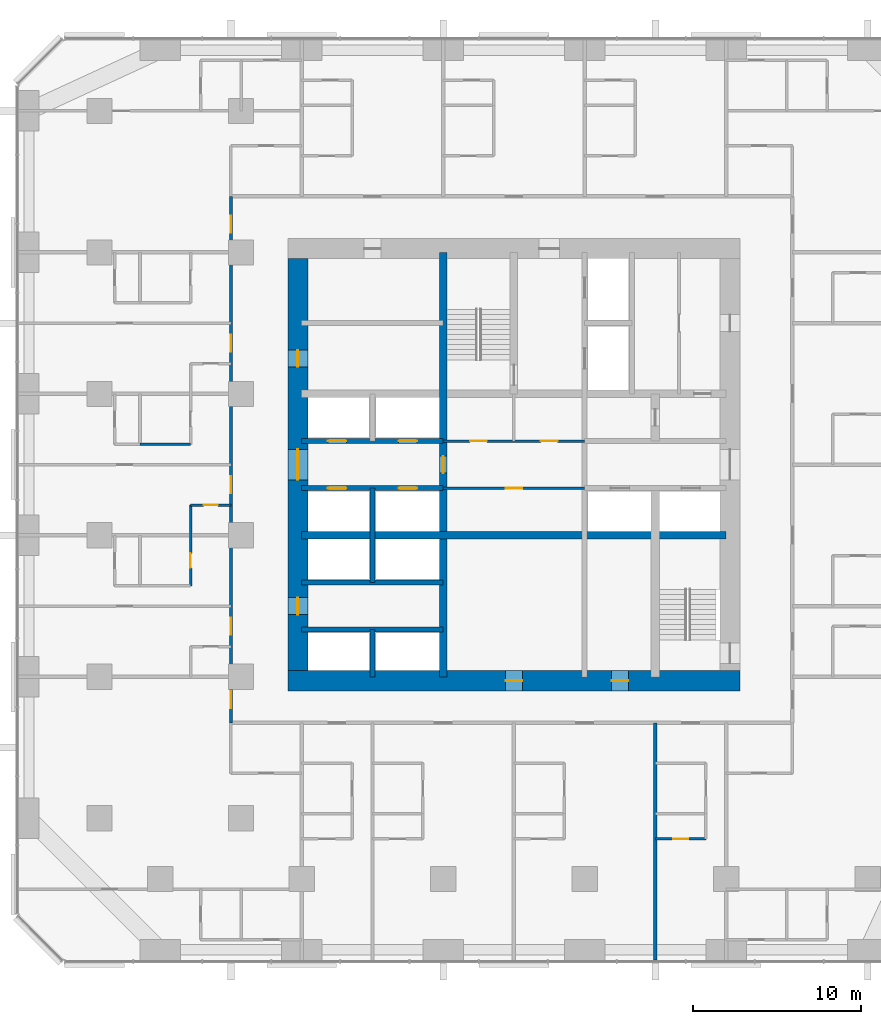
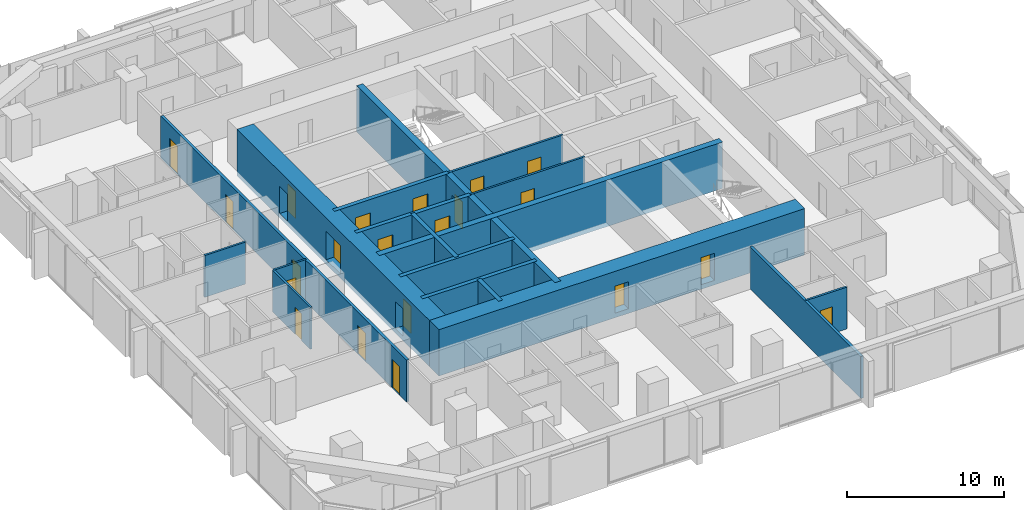
# One storey, part 9 of 14: 21 doors, 18 walls, 21 openings.
"""IFC4 building model written with IfcOpenShell, lengths in metres."""

from ifc_helpers import new_model, si_unit, direction, frame, frame_2d, origin, place, context, subcontext, project, spatial, rectangle, extrude, material, layer, layer_set, type_object, element, fill, save


model = new_model("IFC4")

# Units and contexts
model_context = context("Model", 3, precision=1e-05, world=origin(), true_north=direction((0.0, 1.0)))
body_context = subcontext(model_context, "Body", "Model", "MODEL_VIEW")
ifc_project = project(units=[si_unit("LENGTHUNIT", "METRE"), si_unit("AREAUNIT", "SQUARE_METRE"), si_unit("VOLUMEUNIT", "CUBIC_METRE"), si_unit("PLANEANGLEUNIT", "RADIAN"), si_unit("MASSUNIT", "GRAM", prefix="KILO")], contexts=[model_context])

# Site, building, storey
site_placement = place(None, origin())
site = spatial("IfcSite", under=ifc_project, at=site_placement, CompositionType="ELEMENT")
building_placement = place(site_placement, origin())
building = spatial("IfcBuilding", under=site, at=building_placement, Name="Dunama Terrace Hotel", CompositionType="ELEMENT")
storey_placement = place(building_placement, frame((0.0, 0.0, 100.800048828125)))
storey = spatial("IfcBuildingStorey", under=building, at=storey_placement, Name="L25", CompositionType="ELEMENT", Elevation=100.800048828125)

# Wall, opening, door
ifc_material_1 = material(Name="Gypsum board partition", Category="masonry")
ifc_layer_1 = layer(ifc_material_1, 0.14990234375)
ifc_layer_set_1 = layer_set([ifc_layer_1], Name="Bathroom partition 150")
wall_type_1 = type_object("IfcWallType", Name="Bathroom partition 150", PredefinedType="PARTITIONING", material=ifc_layer_set_1)
wall_1_placement = place(storey_placement, frame((10.199951171875, 22.199951171875, 0.0), z_axis=(0.0, 0.0, 1.0), x_axis=(0.0, 1.0, 0.0)))
wall_1 = element("IfcWall", 1, at=wall_1_placement, inside=storey, type_object=wall_type_1, Name="Bathroom partition 150 L25", PredefinedType="PARTITIONING", context=body_context, shape_type="SweptSolid", body=[
    extrude(rectangle(XDim=4.800048828125, YDim=0.14990234375, at=frame_2d((2.39990234375, 0.0))), origin(), (0.0, 0.0, 1.0), 3.25),
])
opening_1_placement = place(wall_1_placement, frame((1.074951171875, 0.0, 0.0)))
opening_1 = element("IfcOpeningElement", 2, at=opening_1_placement, cuts=wall_1, Name="Opening L25-27-047", PredefinedType="OPENING", context=body_context, shape_type="SweptSolid", body=[
    extrude(rectangle(XDim=0.85009765625, YDim=2.10009765625, at=frame_2d((0.425048828125, 1.050048828125))), frame((0.0, 0.0849609375, 0.0), z_axis=(0.0, -1.0, 0.0), x_axis=(1.0, 0.0, 0.0)), (0.0, 0.0, 1.0), 0.169921875),
])
ifc_material_2 = material(Name="Timber door with steel frame", Category="steel")
door_type_1 = type_object("IfcDoorType", Name="Bathroom door 850", OperationType="SINGLE_SWING_LEFT", PredefinedType="DOOR", material=ifc_material_2)
door_1_placement = place(opening_1_placement, origin())
door_1 = element("IfcDoor", 3, at=door_1_placement, inside=storey, type_object=door_type_1, Name="Door to en-suite bathroom L25-27-047, type D2", OperationType="SINGLE_SWING_RIGHT", OverallHeight=2.10009765625, OverallWidth=0.85009765625, PredefinedType="DOOR", context=body_context, shape_type="SweptSolid", body=[
    extrude(rectangle(XDim=0.85009765625, YDim=2.10009765625, at=frame_2d((0.425048828125, 1.050048828125))), frame((0.0, 0.02490234375, 0.0), z_axis=(0.0, -1.0, 0.0), x_axis=(1.0, 0.0, 0.0)), (0.0, 0.0, 1.0), 0.050048828125),
])
fill(opening_1, door_1)

wall_2_placement = place(storey_placement, frame((10.199951171875, 27.0, 0.0), z_axis=(0.0, 0.0, 1.0), x_axis=(1.0, 0.0, 0.0)))
wall_2 = element("IfcWall", 4, at=wall_2_placement, inside=storey, type_object=wall_type_1, Name="Bathroom partition 150 L25", PredefinedType="PARTITIONING", context=body_context, shape_type="SweptSolid", body=[
    extrude(rectangle(XDim=2.400146484375, YDim=0.14990234375, at=frame_2d((1.2001953125, 0.0))), origin(), (0.0, 0.0, 1.0), 3.25),
])
opening_2_placement = place(wall_2_placement, frame((0.77490234375, 0.0, 0.0)))
opening_2 = element("IfcOpeningElement", 5, at=opening_2_placement, cuts=wall_2, Name="Opening L25-27-050", PredefinedType="OPENING", context=body_context, shape_type="SweptSolid", body=[
    extrude(rectangle(XDim=0.85009765625, YDim=2.10009765625, at=frame_2d((0.425048828125, 1.050048828125))), frame((0.0, 0.0849609375, 0.0), z_axis=(0.0, -1.0, 0.0), x_axis=(1.0, 0.0, 0.0)), (0.0, 0.0, 1.0), 0.169921875),
])
door_2_placement = place(opening_2_placement, frame((0.85009765625, 0.0, 0.0), z_axis=(0.0, 0.0, 1.0), x_axis=(-1.0, 0.0, 0.0)))
door_2 = element("IfcDoor", 6, at=door_2_placement, inside=storey, type_object=door_type_1, Name="Door to powder room L25-27-050, type D2", OperationType="SINGLE_SWING_LEFT", OverallHeight=2.10009765625, OverallWidth=0.85009765625, PredefinedType="DOOR", context=body_context, shape_type="SweptSolid", body=[
    extrude(rectangle(XDim=0.85009765625, YDim=2.10009765625, at=frame_2d((0.425048828125, 1.050048828125))), frame((0.0, 0.025146484375, 0.0), z_axis=(0.0, -1.0, 0.0), x_axis=(1.0, 0.0, 0.0)), (0.0, 0.0, 1.0), 0.050048828125),
])
fill(opening_2, door_2)

# Walls
wall_3_placement = place(storey_placement, frame((7.199951171875, 30.60009765625, 0.0), z_axis=(0.0, 0.0, 1.0), x_axis=(1.0, 0.0, 0.0)))
element("IfcWall", 7, at=wall_3_placement, inside=storey, type_object=wall_type_1, Name="Bathroom partition 150 L25", PredefinedType="PARTITIONING", context=body_context, shape_type="SweptSolid", body=[
    extrude(rectangle(XDim=3.0, YDim=0.14990234375, at=frame_2d((1.5, 0.0))), origin(), (0.0, 0.0, 1.0), 3.25),
])
ifc_material_3 = material(Name="Concrete C50/60", Category="concrete")
ifc_layer_2 = layer(ifc_material_3, 0.300048828125)
ifc_layer_set_2 = layer_set([ifc_layer_2], Name="Core inner wall 300")
wall_type_2 = type_object("IfcWallType", Name="Core inner wall 300", PredefinedType="SHEAR", material=ifc_layer_set_2)
wall_4_placement = place(storey_placement, frame((21.0, 16.800048828125, -0.35009765625), z_axis=(0.0, 0.0, 1.0), x_axis=(0.0, 1.0, 0.0)))
element("IfcWall", 8, at=wall_4_placement, inside=storey, type_object=wall_type_2, Name="Core inner wall 300 L25", PredefinedType="SHEAR", context=body_context, shape_type="SweptSolid", body=[
    extrude(rectangle(XDim=2.800048828125, YDim=0.300048828125, at=frame_2d((1.39990234375, 0.0))), origin(), (0.0, 0.0, 1.0), 3.60009765625),
])
wall_5_placement = place(storey_placement, frame((21.0, 22.39990234375, -0.35009765625), z_axis=(0.0, 0.0, 1.0), x_axis=(0.0, 1.0, 0.0)))
element("IfcWall", 9, at=wall_5_placement, inside=storey, type_object=wall_type_2, Name="Core inner wall 300 L25", PredefinedType="SHEAR", context=body_context, shape_type="SweptSolid", body=[
    extrude(rectangle(XDim=5.60009765625, YDim=0.300048828125, at=frame_2d((2.800048828125, 0.0))), origin(), (0.0, 0.0, 1.0), 3.60009765625),
])
for number, where, z_axis, x_axis, name in (
    (10, (16.800048828125, 19.60009765625, -0.35009765625), (0.0, 0.0, 1.0), (1.0, 0.0, 0.0), "Core inner wall 300 L25"),
    (11, (16.800048828125, 22.39990234375, -0.35009765625), (0.0, 0.0, 1.0), (1.0, 0.0, 0.0), "Core inner wall 300 L25"),
):
    element("IfcWall", number, at=place(storey_placement, frame(where, z_axis=z_axis, x_axis=x_axis)), inside=storey, type_object=wall_type_2, Name=name, PredefinedType="SHEAR", context=body_context, shape_type="SweptSolid", body=[
        extrude(rectangle(XDim=8.39990234375, YDim=0.300048828125, at=frame_2d((4.199951171875, 0.0))), origin(), (0.0, 0.0, 1.0), 3.60009765625),
    ])

# Wall, openings, doors
wall_6_placement = place(storey_placement, frame((16.800048828125, 28.0, -0.35009765625), z_axis=(0.0, 0.0, 1.0), x_axis=(1.0, 0.0, 0.0)))
wall_6 = element("IfcWall", 12, at=wall_6_placement, inside=storey, type_object=wall_type_2, Name="Core inner wall 300 L25", PredefinedType="SHEAR", context=body_context, shape_type="SweptSolid", body=[
    extrude(rectangle(XDim=8.39990234375, YDim=0.300048828125, at=frame_2d((4.199951171875, 0.0))), origin(), (0.0, 0.0, 1.0), 3.60009765625),
])
opening_3_placement = place(wall_6_placement, frame((1.550048828125, 0.0, 0.35009765625)))
opening_3 = element("IfcOpeningElement", 13, at=opening_3_placement, cuts=wall_6, Name="Opening L25-27-005", PredefinedType="OPENING", context=body_context, shape_type="SweptSolid", body=[
    extrude(rectangle(XDim=1.10009765625, YDim=2.199951171875, at=frame_2d((0.550048828125, 1.10009765625))), frame((0.0, 0.159912109375, 0.0), z_axis=(0.0, -1.0, 0.0), x_axis=(1.0, 0.0, 0.0)), (0.0, 0.0, 1.0), 0.320068359375),
])
opening_4_placement = place(wall_6_placement, frame((5.75, 0.0, 0.35009765625)))
opening_4 = element("IfcOpeningElement", 14, at=opening_4_placement, cuts=wall_6, Name="Opening L25-27-006", PredefinedType="OPENING", context=body_context, shape_type="SweptSolid", body=[
    extrude(rectangle(XDim=1.10009765625, YDim=2.199951171875, at=frame_2d((0.550048828125, 1.10009765625))), frame((0.0, 0.159912109375, 0.0), z_axis=(0.0, -1.0, 0.0), x_axis=(1.0, 0.0, 0.0)), (0.0, 0.0, 1.0), 0.320068359375),
])
ifc_material_4 = material(Name="Stainless steel lift door", Category="steel")
door_type_2 = type_object("IfcDoorType", Name="Lift landing door 1100", OperationType="DOUBLE_DOOR_SLIDING", PredefinedType="DOOR", material=ifc_material_4)
door_3_placement = place(opening_3_placement, origin())
door_3 = element("IfcDoor", 15, at=door_3_placement, inside=storey, type_object=door_type_2, Name="Landing door PC1 L25-27-005, type LD1", OperationType="DOUBLE_DOOR_SLIDING", OverallHeight=2.199951171875, OverallWidth=1.10009765625, PredefinedType="DOOR", context=body_context, shape_type="SweptSolid", body=[
    extrude(rectangle(XDim=1.10009765625, YDim=2.199951171875, at=frame_2d((0.550048828125, 1.10009765625))), frame((0.0, 0.02490234375, 0.0), z_axis=(0.0, -1.0, 0.0), x_axis=(1.0, 0.0, 0.0)), (0.0, 0.0, 1.0), 0.050048828125),
])
fill(opening_3, door_3)
door_4_placement = place(opening_4_placement, origin())
door_4 = element("IfcDoor", 16, at=door_4_placement, inside=storey, type_object=door_type_2, Name="Landing door PC2 L25-27-006, type LD1", OperationType="DOUBLE_DOOR_SLIDING", OverallHeight=2.199951171875, OverallWidth=1.10009765625, PredefinedType="DOOR", context=body_context, shape_type="SweptSolid", body=[
    extrude(rectangle(XDim=1.10009765625, YDim=2.199951171875, at=frame_2d((0.550048828125, 1.10009765625))), frame((0.0, 0.02490234375, 0.0), z_axis=(0.0, -1.0, 0.0), x_axis=(1.0, 0.0, 0.0)), (0.0, 0.0, 1.0), 0.050048828125),
])
fill(opening_4, door_4)

wall_7_placement = place(storey_placement, frame((16.800048828125, 30.800048828125, -0.35009765625), z_axis=(0.0, 0.0, 1.0), x_axis=(1.0, 0.0, 0.0)))
wall_7 = element("IfcWall", 17, at=wall_7_placement, inside=storey, type_object=wall_type_2, Name="Core inner wall 300 L25", PredefinedType="SHEAR", context=body_context, shape_type="SweptSolid", body=[
    extrude(rectangle(XDim=8.39990234375, YDim=0.300048828125, at=frame_2d((4.199951171875, 0.0))), origin(), (0.0, 0.0, 1.0), 3.60009765625),
])
opening_5_placement = place(wall_7_placement, frame((1.550048828125, 0.0, 0.35009765625)))
opening_5 = element("IfcOpeningElement", 18, at=opening_5_placement, cuts=wall_7, Name="Opening L25-27-007", PredefinedType="OPENING", context=body_context, shape_type="SweptSolid", body=[
    extrude(rectangle(XDim=1.10009765625, YDim=2.199951171875, at=frame_2d((0.550048828125, 1.10009765625))), frame((0.0, 0.159912109375, 0.0), z_axis=(0.0, -1.0, 0.0), x_axis=(1.0, 0.0, 0.0)), (0.0, 0.0, 1.0), 0.320068359375),
])
opening_6_placement = place(wall_7_placement, frame((5.75, 0.0, 0.35009765625)))
opening_6 = element("IfcOpeningElement", 19, at=opening_6_placement, cuts=wall_7, Name="Opening L25-27-008", PredefinedType="OPENING", context=body_context, shape_type="SweptSolid", body=[
    extrude(rectangle(XDim=1.10009765625, YDim=2.199951171875, at=frame_2d((0.550048828125, 1.10009765625))), frame((0.0, 0.159912109375, 0.0), z_axis=(0.0, -1.0, 0.0), x_axis=(1.0, 0.0, 0.0)), (0.0, 0.0, 1.0), 0.320068359375),
])
door_5_placement = place(opening_5_placement, origin())
door_5 = element("IfcDoor", 20, at=door_5_placement, inside=storey, type_object=door_type_2, Name="Landing door PC3 L25-27-007, type LD1", OperationType="DOUBLE_DOOR_SLIDING", OverallHeight=2.199951171875, OverallWidth=1.10009765625, PredefinedType="DOOR", context=body_context, shape_type="SweptSolid", body=[
    extrude(rectangle(XDim=1.10009765625, YDim=2.199951171875, at=frame_2d((0.550048828125, 1.10009765625))), frame((0.0, 0.02490234375, 0.0), z_axis=(0.0, -1.0, 0.0), x_axis=(1.0, 0.0, 0.0)), (0.0, 0.0, 1.0), 0.050048828125),
])
fill(opening_5, door_5)
door_6_placement = place(opening_6_placement, origin())
door_6 = element("IfcDoor", 21, at=door_6_placement, inside=storey, type_object=door_type_2, Name="Landing door PC4 L25-27-008, type LD1", OperationType="DOUBLE_DOOR_SLIDING", OverallHeight=2.199951171875, OverallWidth=1.10009765625, PredefinedType="DOOR", context=body_context, shape_type="SweptSolid", body=[
    extrude(rectangle(XDim=1.10009765625, YDim=2.199951171875, at=frame_2d((0.550048828125, 1.10009765625))), frame((0.0, 0.02490234375, 0.0), z_axis=(0.0, -1.0, 0.0), x_axis=(1.0, 0.0, 0.0)), (0.0, 0.0, 1.0), 0.050048828125),
])
fill(opening_6, door_6)

# Wall, opening, door
ifc_material_5 = material(Name="Concrete C50/60", Category="concrete")
ifc_layer_3 = layer(ifc_material_5, 0.449951171875)
ifc_layer_set_3 = layer_set([ifc_layer_3], Name="Core inner wall 450")
wall_type_3 = type_object("IfcWallType", Name="Core inner wall 450", PredefinedType="SHEAR", material=ifc_layer_set_3)
wall_8_placement = place(storey_placement, frame((25.199951171875, 16.800048828125, -0.35009765625), z_axis=(0.0, 0.0, 1.0), x_axis=(0.0, 1.0, 0.0)))
wall_8 = element("IfcWall", 22, at=wall_8_placement, inside=storey, type_object=wall_type_3, Name="Core inner wall 450 L25", PredefinedType="SHEAR", context=body_context, shape_type="SweptSolid", body=[
    extrude(rectangle(XDim=25.199951171875, YDim=0.449951171875, at=frame_2d((12.60009765625, 0.0))), origin(), (0.0, 0.0, 1.0), 3.60009765625),
])
opening_7_placement = place(wall_8_placement, frame((12.10009765625, 0.0, 0.35009765625)))
opening_7 = element("IfcOpeningElement", 23, at=opening_7_placement, cuts=wall_8, Name="Opening L25-27-083", PredefinedType="OPENING", context=body_context, shape_type="SweptSolid", body=[
    extrude(rectangle(XDim=1.0, YDim=2.10009765625, at=frame_2d((0.5, 1.050048828125))), frame((0.0, 0.23486328125, 0.0), z_axis=(0.0, -1.0, 0.0), x_axis=(1.0, 0.0, 0.0)), (0.0, 0.0, 1.0), 0.469970703125),
])
ifc_material_6 = material(Name="Timber door with steel frame", Category="steel")
door_type_3 = type_object("IfcDoorType", Name="Service door 1000", OperationType="SINGLE_SWING_LEFT", PredefinedType="DOOR", material=ifc_material_6)
door_7_placement = place(opening_7_placement, origin())
door_7 = element("IfcDoor", 24, at=door_7_placement, inside=storey, type_object=door_type_3, Name="Door to guest services passage L25-27-083, type D7", OperationType="SINGLE_SWING_LEFT", OverallHeight=2.10009765625, OverallWidth=1.0, PredefinedType="DOOR", context=body_context, shape_type="SweptSolid", body=[
    extrude(rectangle(XDim=1.0, YDim=2.10009765625, at=frame_2d((0.5, 1.050048828125))), frame((0.0, 0.02490234375, 0.0), z_axis=(0.0, -1.0, 0.0), x_axis=(1.0, 0.0, 0.0)), (0.0, 0.0, 1.0), 0.050048828125),
])
fill(opening_7, door_7)

# Wall
wall_9_placement = place(storey_placement, frame((16.800048828125, 25.199951171875, -0.35009765625), z_axis=(0.0, 0.0, 1.0), x_axis=(1.0, 0.0, 0.0)))
element("IfcWall", 25, at=wall_9_placement, inside=storey, type_object=wall_type_3, Name="Core inner wall 450 L25", PredefinedType="SHEAR", context=body_context, shape_type="SweptSolid", body=[
    extrude(rectangle(XDim=25.199951171875, YDim=0.449951171875, at=frame_2d((12.60009765625, 0.0))), origin(), (0.0, 0.0, 1.0), 3.60009765625),
])

# Wall, openings, doors
ifc_material_7 = material(Name="Concrete C60/75", Category="concrete")
ifc_layer_4 = layer(ifc_material_7, 1.199951171875)
ifc_layer_set_4 = layer_set([ifc_layer_4], Name="Core wall 1200")
wall_type_4 = type_object("IfcWallType", Name="Core wall 1200", PredefinedType="SHEAR", material=ifc_layer_set_4)
wall_10_placement = place(storey_placement, frame((15.97509765625, 16.574951171875, -0.35009765625), z_axis=(0.0, 0.0, 1.0), x_axis=(1.0, 0.0, 0.0)))
wall_10 = element("IfcWall", 26, at=wall_10_placement, inside=storey, type_object=wall_type_4, Name="Core wall south L25", PredefinedType="SHEAR", context=body_context, shape_type="SweptSolid", body=[
    extrude(rectangle(XDim=26.849853515625, YDim=1.199951171875, at=frame_2d((13.4248046875, 0.0))), origin(), (0.0, 0.0, 1.0), 3.60009765625),
])
opening_8_placement = place(wall_10_placement, frame((12.925048828125, 0.0, 0.35009765625)))
opening_8 = element("IfcOpeningElement", 27, at=opening_8_placement, cuts=wall_10, Name="Opening L25-27-093", PredefinedType="OPENING", context=body_context, shape_type="SweptSolid", body=[
    extrude(rectangle(XDim=1.0, YDim=2.10009765625, at=frame_2d((0.5, 1.050048828125))), frame((0.0, 0.60986328125, 0.0), z_axis=(0.0, -1.0, 0.0), x_axis=(1.0, 0.0, 0.0)), (0.0, 0.0, 1.0), 1.219970703125),
])
opening_9_placement = place(wall_10_placement, frame((19.22509765625, 0.0, 0.35009765625)))
opening_9 = element("IfcOpeningElement", 28, at=opening_9_placement, cuts=wall_10, Name="Opening L25-27-094", PredefinedType="OPENING", context=body_context, shape_type="SweptSolid", body=[
    extrude(rectangle(XDim=1.0, YDim=2.10009765625, at=frame_2d((0.5, 1.050048828125))), frame((0.0, 0.60986328125, 0.0), z_axis=(0.0, -1.0, 0.0), x_axis=(1.0, 0.0, 0.0)), (0.0, 0.0, 1.0), 1.219970703125),
])
door_8_placement = place(opening_8_placement, origin())
door_8 = element("IfcDoor", 29, at=door_8_placement, inside=storey, type_object=door_type_3, Name="Door to corridor air handling room L25-27-093, type D7", OperationType="SINGLE_SWING_LEFT", OverallHeight=2.10009765625, OverallWidth=1.0, PredefinedType="DOOR", context=body_context, shape_type="SweptSolid", body=[
    extrude(rectangle(XDim=1.0, YDim=2.10009765625, at=frame_2d((0.5, 1.050048828125))), frame((0.0, 0.02490234375, 0.0), z_axis=(0.0, -1.0, 0.0), x_axis=(1.0, 0.0, 0.0)), (0.0, 0.0, 1.0), 0.050048828125),
])
fill(opening_8, door_8)
door_9_placement = place(opening_9_placement, origin())
door_9 = element("IfcDoor", 30, at=door_9_placement, inside=storey, type_object=door_type_3, Name="Door to water riser room L25-27-094, type D7", OperationType="SINGLE_SWING_RIGHT", OverallHeight=2.10009765625, OverallWidth=1.0, PredefinedType="DOOR", context=body_context, shape_type="SweptSolid", body=[
    extrude(rectangle(XDim=1.0, YDim=2.10009765625, at=frame_2d((0.5, 1.050048828125))), frame((0.0, 0.02490234375, 0.0), z_axis=(0.0, -1.0, 0.0), x_axis=(1.0, 0.0, 0.0)), (0.0, 0.0, 1.0), 0.050048828125),
])
fill(opening_9, door_9)

wall_11_placement = place(storey_placement, frame((16.574951171875, 41.625, -0.35009765625), z_axis=(0.0, 0.0, 1.0), x_axis=(0.0, -1.0, 0.0)))
wall_11 = element("IfcWall", 31, at=wall_11_placement, inside=storey, type_object=wall_type_4, Name="Core wall west L25", PredefinedType="SHEAR", context=body_context, shape_type="SweptSolid", body=[
    extrude(rectangle(XDim=24.449951171875, YDim=1.199951171875, at=frame_2d((12.22509765625, 0.0))), origin(), (0.0, 0.0, 1.0), 3.60009765625),
])
opening_10_placement = place(wall_11_placement, frame((11.324951171875, 0.0, 0.35009765625)))
opening_10 = element("IfcOpeningElement", 32, at=opening_10_placement, cuts=wall_11, Name="Opening L25-27-079", PredefinedType="OPENING", context=body_context, shape_type="SweptSolid", body=[
    extrude(rectangle(XDim=1.800048828125, YDim=2.199951171875, at=frame_2d((0.89990234375, 1.10009765625))), frame((0.0, 0.60986328125, 0.0), z_axis=(0.0, -1.0, 0.0), x_axis=(1.0, 0.0, 0.0)), (0.0, 0.0, 1.0), 1.219970703125),
])
opening_11_placement = place(wall_11_placement, frame((20.125, 0.0, 0.35009765625)))
opening_11 = element("IfcOpeningElement", 33, at=opening_11_placement, cuts=wall_11, Name="Opening L25-27-080", PredefinedType="OPENING", context=body_context, shape_type="SweptSolid", body=[
    extrude(rectangle(XDim=1.0, YDim=2.10009765625, at=frame_2d((0.5, 1.050048828125))), frame((0.0, 0.60986328125, 0.0), z_axis=(0.0, -1.0, 0.0), x_axis=(1.0, 0.0, 0.0)), (0.0, 0.0, 1.0), 1.219970703125),
])
opening_12_placement = place(wall_11_placement, frame((5.425048828125, 0.0, 0.35009765625)))
opening_12 = element("IfcOpeningElement", 34, at=opening_12_placement, cuts=wall_11, Name="Opening L25-27-081", PredefinedType="OPENING", context=body_context, shape_type="SweptSolid", body=[
    extrude(rectangle(XDim=1.0, YDim=2.10009765625, at=frame_2d((0.5, 1.050048828125))), frame((0.0, 0.60986328125, 0.0), z_axis=(0.0, -1.0, 0.0), x_axis=(1.0, 0.0, 0.0)), (0.0, 0.0, 1.0), 1.219970703125),
])
ifc_material_8 = material(Name="Timber door with steel frame", Category="steel")
door_type_4 = type_object("IfcDoorType", Name="Lift lobby double door 1800", OperationType="DOUBLE_DOOR_DOUBLE_SWING", PredefinedType="DOOR", material=ifc_material_8)
door_10_placement = place(opening_10_placement, origin())
door_10 = element("IfcDoor", 35, at=door_10_placement, inside=storey, type_object=door_type_4, Name="Door to lift lobby L25-27-079, type D3", OperationType="DOUBLE_DOOR_DOUBLE_SWING", OverallHeight=2.199951171875, OverallWidth=1.800048828125, PredefinedType="DOOR", context=body_context, shape_type="SweptSolid", body=[
    extrude(rectangle(XDim=1.800048828125, YDim=2.199951171875, at=frame_2d((0.89990234375, 1.10009765625))), frame((0.0, 0.02490234375, 0.0), z_axis=(0.0, -1.0, 0.0), x_axis=(1.0, 0.0, 0.0)), (0.0, 0.0, 1.0), 0.050048828125),
])
fill(opening_10, door_10)
door_11_placement = place(opening_11_placement, origin())
door_11 = element("IfcDoor", 36, at=door_11_placement, inside=storey, type_object=door_type_3, Name="Door to service lobby L25-27-080, type D7", OperationType="SINGLE_SWING_LEFT", OverallHeight=2.10009765625, OverallWidth=1.0, PredefinedType="DOOR", context=body_context, shape_type="SweptSolid", body=[
    extrude(rectangle(XDim=1.0, YDim=2.10009765625, at=frame_2d((0.5, 1.050048828125))), frame((0.0, 0.02490234375, 0.0), z_axis=(0.0, -1.0, 0.0), x_axis=(1.0, 0.0, 0.0)), (0.0, 0.0, 1.0), 0.050048828125),
])
fill(opening_11, door_11)
door_12_placement = place(opening_12_placement, origin())
door_12 = element("IfcDoor", 37, at=door_12_placement, inside=storey, type_object=door_type_3, Name="Door to electrical room L25-27-081, type D7", OperationType="SINGLE_SWING_RIGHT", OverallHeight=2.10009765625, OverallWidth=1.0, PredefinedType="DOOR", context=body_context, shape_type="SweptSolid", body=[
    extrude(rectangle(XDim=1.0, YDim=2.10009765625, at=frame_2d((0.5, 1.050048828125))), frame((0.0, 0.02490234375, 0.0), z_axis=(0.0, -1.0, 0.0), x_axis=(1.0, 0.0, 0.0)), (0.0, 0.0, 1.0), 0.050048828125),
])
fill(opening_12, door_12)

ifc_material_9 = material(Name="Concrete blockwork", Category="masonry")
ifc_layer_5 = layer(ifc_material_9, 0.199951171875)
ifc_layer_set_5 = layer_set([ifc_layer_5], Name="Corridor partition 200")
wall_type_5 = type_object("IfcWallType", Name="Corridor partition 200", PredefinedType="PARTITIONING", material=ifc_layer_set_5)
wall_12_placement = place(storey_placement, frame((12.60009765625, 14.074951171875, 0.0), z_axis=(0.0, 0.0, 1.0), x_axis=(0.0, 1.0, 0.0)))
wall_12 = element("IfcWall", 38, at=wall_12_placement, inside=storey, type_object=wall_type_5, Name="Corridor partition 200 L25", PredefinedType="PARTITIONING", context=body_context, shape_type="SweptSolid", body=[
    extrude(rectangle(XDim=31.25, YDim=0.199951171875, at=frame_2d((15.625, 0.0))), origin(), (0.0, 0.0, 1.0), 3.25),
])
opening_13_placement = place(wall_12_placement, frame((5.22509765625, 0.0, 0.0)))
opening_13 = element("IfcOpeningElement", 39, at=opening_13_placement, cuts=wall_12, Name="Opening L25-27-044", PredefinedType="OPENING", context=body_context, shape_type="SweptSolid", body=[
    extrude(rectangle(XDim=1.0, YDim=2.199951171875, at=frame_2d((0.5, 1.10009765625))), frame((0.0, 0.10986328125, 0.0), z_axis=(0.0, -1.0, 0.0), x_axis=(1.0, 0.0, 0.0)), (0.0, 0.0, 1.0), 0.219970703125),
])
opening_14_placement = place(wall_12_placement, frame((13.625, 0.0, 0.0)))
opening_14 = element("IfcOpeningElement", 40, at=opening_14_placement, cuts=wall_12, Name="Opening L25-27-049", PredefinedType="OPENING", context=body_context, shape_type="SweptSolid", body=[
    extrude(rectangle(XDim=1.0, YDim=2.199951171875, at=frame_2d((0.5, 1.10009765625))), frame((0.0, 0.10986328125, 0.0), z_axis=(0.0, -1.0, 0.0), x_axis=(1.0, 0.0, 0.0)), (0.0, 0.0, 1.0), 0.219970703125),
])
opening_15_placement = place(wall_12_placement, frame((22.02490234375, 0.0, 0.0)))
opening_15 = element("IfcOpeningElement", 41, at=opening_15_placement, cuts=wall_12, Name="Opening L25-27-054", PredefinedType="OPENING", context=body_context, shape_type="SweptSolid", body=[
    extrude(rectangle(XDim=1.0, YDim=2.199951171875, at=frame_2d((0.5, 1.10009765625))), frame((0.0, 0.10986328125, 0.0), z_axis=(0.0, -1.0, 0.0), x_axis=(1.0, 0.0, 0.0)), (0.0, 0.0, 1.0), 0.219970703125),
])
opening_16_placement = place(wall_12_placement, frame((0.863037109375, 0.0, 0.0)))
opening_16 = element("IfcOpeningElement", 42, at=opening_16_placement, cuts=wall_12, Name="Opening L25-27-059", PredefinedType="OPENING", context=body_context, shape_type="SweptSolid", body=[
    extrude(rectangle(XDim=1.0, YDim=2.199951171875, at=frame_2d((0.5, 1.10009765625))), frame((0.0, 0.10986328125, 0.0), z_axis=(0.0, -1.0, 0.0), x_axis=(1.0, 0.0, 0.0)), (0.0, 0.0, 1.0), 0.219970703125),
])
opening_17_placement = place(wall_12_placement, frame((29.087890625, 0.0, 0.0)))
opening_17 = element("IfcOpeningElement", 43, at=opening_17_placement, cuts=wall_12, Name="Opening L25-27-074", PredefinedType="OPENING", context=body_context, shape_type="SweptSolid", body=[
    extrude(rectangle(XDim=1.0, YDim=2.199951171875, at=frame_2d((0.5, 1.10009765625))), frame((0.0, 0.10986328125, 0.0), z_axis=(0.0, -1.0, 0.0), x_axis=(1.0, 0.0, 0.0)), (0.0, 0.0, 1.0), 0.219970703125),
])
ifc_material_10 = material(Name="Timber door with steel frame", Category="steel")
door_type_5 = type_object("IfcDoorType", Name="Guest room door 1000", OperationType="SINGLE_SWING_LEFT", PredefinedType="DOOR", material=ifc_material_10)
door_13_placement = place(opening_13_placement, origin())
door_13 = element("IfcDoor", 44, at=door_13_placement, inside=storey, type_object=door_type_5, Name="Door to premier suite living room L25-27-044, type D1", OperationType="SINGLE_SWING_LEFT", OverallHeight=2.199951171875, OverallWidth=1.0, PredefinedType="DOOR", context=body_context, shape_type="SweptSolid", body=[
    extrude(rectangle(XDim=1.0, YDim=2.199951171875, at=frame_2d((0.5, 1.10009765625))), frame((0.0, 0.02490234375, 0.0), z_axis=(0.0, -1.0, 0.0), x_axis=(1.0, 0.0, 0.0)), (0.0, 0.0, 1.0), 0.050048828125),
])
fill(opening_13, door_13)
door_14_placement = place(opening_14_placement, origin())
door_14 = element("IfcDoor", 45, at=door_14_placement, inside=storey, type_object=door_type_5, Name="Door to premier suite living room L25-27-049, type D1", OperationType="SINGLE_SWING_LEFT", OverallHeight=2.199951171875, OverallWidth=1.0, PredefinedType="DOOR", context=body_context, shape_type="SweptSolid", body=[
    extrude(rectangle(XDim=1.0, YDim=2.199951171875, at=frame_2d((0.5, 1.10009765625))), frame((0.0, 0.02490234375, 0.0), z_axis=(0.0, -1.0, 0.0), x_axis=(1.0, 0.0, 0.0)), (0.0, 0.0, 1.0), 0.050048828125),
])
fill(opening_14, door_14)
door_15_placement = place(opening_15_placement, origin())
door_15 = element("IfcDoor", 46, at=door_15_placement, inside=storey, type_object=door_type_5, Name="Door to premier suite living room L25-27-054, type D1", OperationType="SINGLE_SWING_LEFT", OverallHeight=2.199951171875, OverallWidth=1.0, PredefinedType="DOOR", context=body_context, shape_type="SweptSolid", body=[
    extrude(rectangle(XDim=1.0, YDim=2.199951171875, at=frame_2d((0.5, 1.10009765625))), frame((0.0, 0.02490234375, 0.0), z_axis=(0.0, -1.0, 0.0), x_axis=(1.0, 0.0, 0.0)), (0.0, 0.0, 1.0), 0.050048828125),
])
fill(opening_15, door_15)
door_16_placement = place(opening_16_placement, origin())
door_16 = element("IfcDoor", 47, at=door_16_placement, inside=storey, type_object=door_type_5, Name="Door to corner suite living room L25-27-059, type D1", OperationType="SINGLE_SWING_RIGHT", OverallHeight=2.199951171875, OverallWidth=1.0, PredefinedType="DOOR", context=body_context, shape_type="SweptSolid", body=[
    extrude(rectangle(XDim=1.0, YDim=2.199951171875, at=frame_2d((0.5, 1.10009765625))), frame((0.0, 0.02490234375, 0.0), z_axis=(0.0, -1.0, 0.0), x_axis=(1.0, 0.0, 0.0)), (0.0, 0.0, 1.0), 0.050048828125),
])
fill(opening_16, door_16)
door_17_placement = place(opening_17_placement, origin())
door_17 = element("IfcDoor", 48, at=door_17_placement, inside=storey, type_object=door_type_5, Name="Door to corner suite living room L25-27-074, type D1", OperationType="SINGLE_SWING_LEFT", OverallHeight=2.199951171875, OverallWidth=1.0, PredefinedType="DOOR", context=body_context, shape_type="SweptSolid", body=[
    extrude(rectangle(XDim=1.0, YDim=2.199951171875, at=frame_2d((0.5, 1.10009765625))), frame((0.0, 0.02490234375, 0.0), z_axis=(0.0, -1.0, 0.0), x_axis=(1.0, 0.0, 0.0)), (0.0, 0.0, 1.0), 0.050048828125),
])
fill(opening_17, door_17)

# Wall
ifc_material_11 = material(Name="Concrete blockwork", Category="masonry")
ifc_layer_6 = layer(ifc_material_11, 0.199951171875)
ifc_layer_set_6 = layer_set([ifc_layer_6], Name="Party wall 200")
wall_type_6 = type_object("IfcWallType", Name="Party wall 200", PredefinedType="PARTITIONING", material=ifc_layer_set_6)
wall_13_placement = place(storey_placement, frame((37.800048828125, -0.01806640625, 0.0), z_axis=(0.0, 0.0, 1.0), x_axis=(0.0, 1.0, 0.0)))
element("IfcWall", 49, at=wall_13_placement, inside=storey, type_object=wall_type_6, Name="Party wall 200 L25", PredefinedType="PARTITIONING", context=body_context, shape_type="SweptSolid", body=[
    extrude(rectangle(XDim=14.093017578125, YDim=0.199951171875, at=frame_2d((7.04638671875, 0.0))), origin(), (0.0, 0.0, 1.0), 3.25),
])

# Wall, opening, door
ifc_material_12 = material(Name="Gypsum board partition", Category="masonry")
ifc_layer_7 = layer(ifc_material_12, 0.14990234375)
ifc_layer_set_7 = layer_set([ifc_layer_7], Name="Room partition 150")
wall_type_7 = type_object("IfcWallType", Name="Room partition 150", PredefinedType="PARTITIONING", material=ifc_layer_set_7)
wall_14_placement = place(storey_placement, frame((37.800048828125, 7.175048828125, 0.0), z_axis=(0.0, 0.0, 1.0), x_axis=(1.0, 0.0, 0.0)))
wall_14 = element("IfcWall", 50, at=wall_14_placement, inside=storey, type_object=wall_type_7, Name="Room partition 150 L25", PredefinedType="PARTITIONING", context=body_context, shape_type="SweptSolid", body=[
    extrude(rectangle(XDim=3.0, YDim=0.14990234375, at=frame_2d((1.5, 0.0))), origin(), (0.0, 0.0, 1.0), 3.25),
])
opening_18_placement = place(wall_14_placement, frame((1.050048828125, 0.0, 0.0)))
opening_18 = element("IfcOpeningElement", 51, at=opening_18_placement, cuts=wall_14, Name="Opening L25-27-022", PredefinedType="OPENING", context=body_context, shape_type="SweptSolid", body=[
    extrude(rectangle(XDim=0.89990234375, YDim=2.10009765625, at=frame_2d((0.449951171875, 1.050048828125))), frame((0.0, 0.0849609375, 0.0), z_axis=(0.0, -1.0, 0.0), x_axis=(1.0, 0.0, 0.0)), (0.0, 0.0, 1.0), 0.169921875),
])
ifc_material_13 = material(Name="Timber door with steel frame", Category="steel")
door_type_6 = type_object("IfcDoorType", Name="Suite internal door 900", OperationType="SINGLE_SWING_LEFT", PredefinedType="DOOR", material=ifc_material_13)
door_18_placement = place(opening_18_placement, origin())
door_18 = element("IfcDoor", 52, at=door_18_placement, inside=storey, type_object=door_type_6, Name="Door to walk-in wardrobe L25-27-022, type D16", OperationType="SINGLE_SWING_LEFT", OverallHeight=2.10009765625, OverallWidth=0.89990234375, PredefinedType="DOOR", context=body_context, shape_type="SweptSolid", body=[
    extrude(rectangle(XDim=0.89990234375, YDim=2.10009765625, at=frame_2d((0.449951171875, 1.050048828125))), frame((0.0, 0.02490234375, 0.0), z_axis=(0.0, -1.0, 0.0), x_axis=(1.0, 0.0, 0.0)), (0.0, 0.0, 1.0), 0.050048828125),
])
fill(opening_18, door_18)

wall_15_placement = place(storey_placement, frame((25.199951171875, 28.0, 0.0), z_axis=(0.0, 0.0, 1.0), x_axis=(1.0, 0.0, 0.0)))
wall_15 = element("IfcWall", 53, at=wall_15_placement, inside=storey, type_object=wall_type_7, Name="Room partition 150 L25", PredefinedType="PARTITIONING", context=body_context, shape_type="SweptSolid", body=[
    extrude(rectangle(XDim=8.400146484375, YDim=0.14990234375, at=frame_2d((4.2001953125, 0.0))), origin(), (0.0, 0.0, 1.0), 3.25),
])
opening_19_placement = place(wall_15_placement, frame((3.699951171875, 0.0, 0.0)))
opening_19 = element("IfcOpeningElement", 54, at=opening_19_placement, cuts=wall_15, Name="Opening L25-27-084", PredefinedType="OPENING", context=body_context, shape_type="SweptSolid", body=[
    extrude(rectangle(XDim=1.0, YDim=2.10009765625, at=frame_2d((0.5, 1.050048828125))), frame((0.0, 0.0849609375, 0.0), z_axis=(0.0, -1.0, 0.0), x_axis=(1.0, 0.0, 0.0)), (0.0, 0.0, 1.0), 0.169921875),
])
door_19_placement = place(opening_19_placement, frame((1.0, 0.0, 0.0), z_axis=(0.0, 0.0, 1.0), x_axis=(-1.0, 0.0, 0.0)))
door_19 = element("IfcDoor", 55, at=door_19_placement, inside=storey, type_object=door_type_3, Name="Door to guest luggage room L25-27-084, type D7", OperationType="SINGLE_SWING_RIGHT", OverallHeight=2.10009765625, OverallWidth=1.0, PredefinedType="DOOR", context=body_context, shape_type="SweptSolid", body=[
    extrude(rectangle(XDim=1.0, YDim=2.10009765625, at=frame_2d((0.5, 1.050048828125))), frame((0.0, 0.025146484375, 0.0), z_axis=(0.0, -1.0, 0.0), x_axis=(1.0, 0.0, 0.0)), (0.0, 0.0, 1.0), 0.050048828125),
])
fill(opening_19, door_19)

# Wall, openings, doors
wall_16_placement = place(storey_placement, frame((25.199951171875, 30.800048828125, 0.0), z_axis=(0.0, 0.0, 1.0), x_axis=(1.0, 0.0, 0.0)))
wall_16 = element("IfcWall", 56, at=wall_16_placement, inside=storey, type_object=wall_type_7, Name="Room partition 150 L25", PredefinedType="PARTITIONING", context=body_context, shape_type="SweptSolid", body=[
    extrude(rectangle(XDim=8.400146484375, YDim=0.14990234375, at=frame_2d((4.2001953125, 0.0))), origin(), (0.0, 0.0, 1.0), 3.25),
])
opening_20_placement = place(wall_16_placement, frame((1.60009765625, 0.0, 0.0)))
opening_20 = element("IfcOpeningElement", 57, at=opening_20_placement, cuts=wall_16, Name="Opening L25-27-085", PredefinedType="OPENING", context=body_context, shape_type="SweptSolid", body=[
    extrude(rectangle(XDim=1.0, YDim=2.10009765625, at=frame_2d((0.5, 1.050048828125))), frame((0.0, 0.0849609375, 0.0), z_axis=(0.0, -1.0, 0.0), x_axis=(1.0, 0.0, 0.0)), (0.0, 0.0, 1.0), 0.169921875),
])
opening_21_placement = place(wall_16_placement, frame((5.800048828125, 0.0, 0.0)))
opening_21 = element("IfcOpeningElement", 58, at=opening_21_placement, cuts=wall_16, Name="Opening L25-27-086", PredefinedType="OPENING", context=body_context, shape_type="SweptSolid", body=[
    extrude(rectangle(XDim=1.0, YDim=2.10009765625, at=frame_2d((0.5, 1.050048828125))), frame((0.0, 0.0849609375, 0.0), z_axis=(0.0, -1.0, 0.0), x_axis=(1.0, 0.0, 0.0)), (0.0, 0.0, 1.0), 0.169921875),
])
door_20_placement = place(opening_20_placement, origin())
door_20 = element("IfcDoor", 59, at=door_20_placement, inside=storey, type_object=door_type_3, Name="Door to guest laundry room L25-27-085, type D7", OperationType="SINGLE_SWING_LEFT", OverallHeight=2.10009765625, OverallWidth=1.0, PredefinedType="DOOR", context=body_context, shape_type="SweptSolid", body=[
    extrude(rectangle(XDim=1.0, YDim=2.10009765625, at=frame_2d((0.5, 1.050048828125))), frame((0.0, 0.02490234375, 0.0), z_axis=(0.0, -1.0, 0.0), x_axis=(1.0, 0.0, 0.0)), (0.0, 0.0, 1.0), 0.050048828125),
])
fill(opening_20, door_20)
door_21_placement = place(opening_21_placement, origin())
door_21 = element("IfcDoor", 60, at=door_21_placement, inside=storey, type_object=door_type_3, Name="Door to ice and vending room L25-27-086, type D7", OperationType="SINGLE_SWING_RIGHT", OverallHeight=2.10009765625, OverallWidth=1.0, PredefinedType="DOOR", context=body_context, shape_type="SweptSolid", body=[
    extrude(rectangle(XDim=1.0, YDim=2.10009765625, at=frame_2d((0.5, 1.050048828125))), frame((0.0, 0.02490234375, 0.0), z_axis=(0.0, -1.0, 0.0), x_axis=(1.0, 0.0, 0.0)), (0.0, 0.0, 1.0), 0.050048828125),
])
fill(opening_21, door_21)

save(model, "model.ifc")
